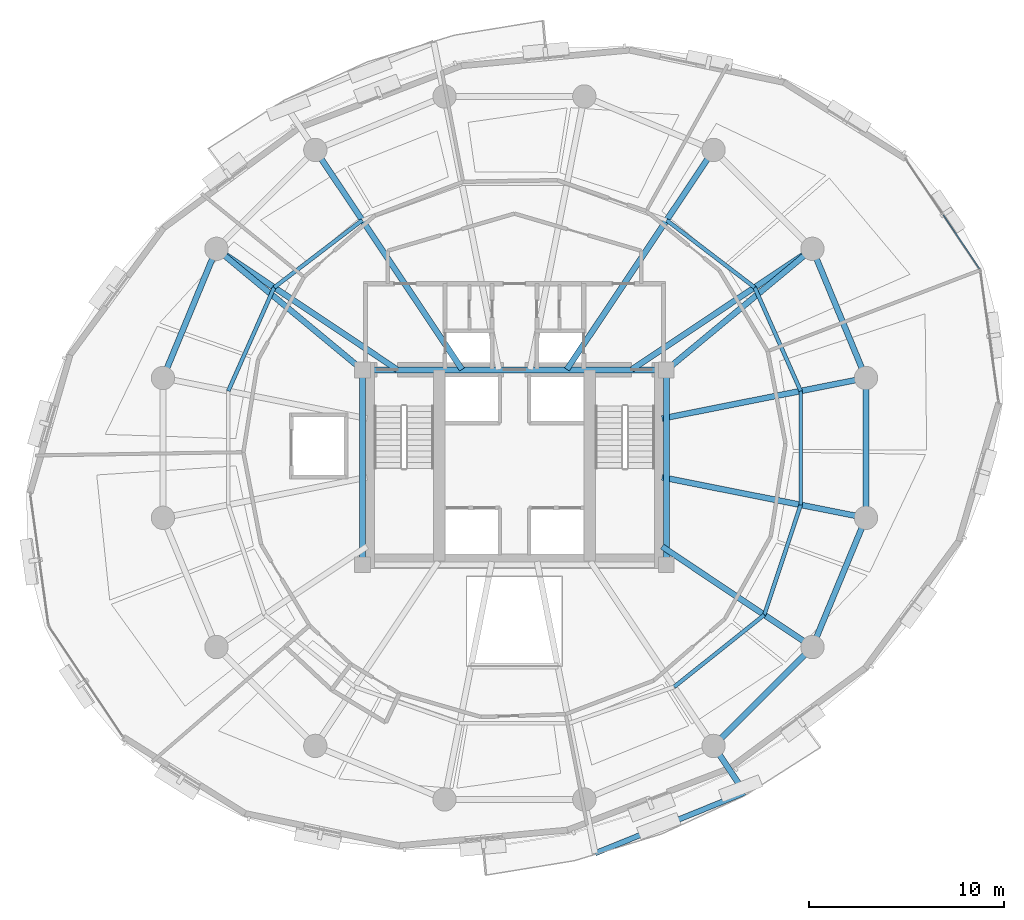
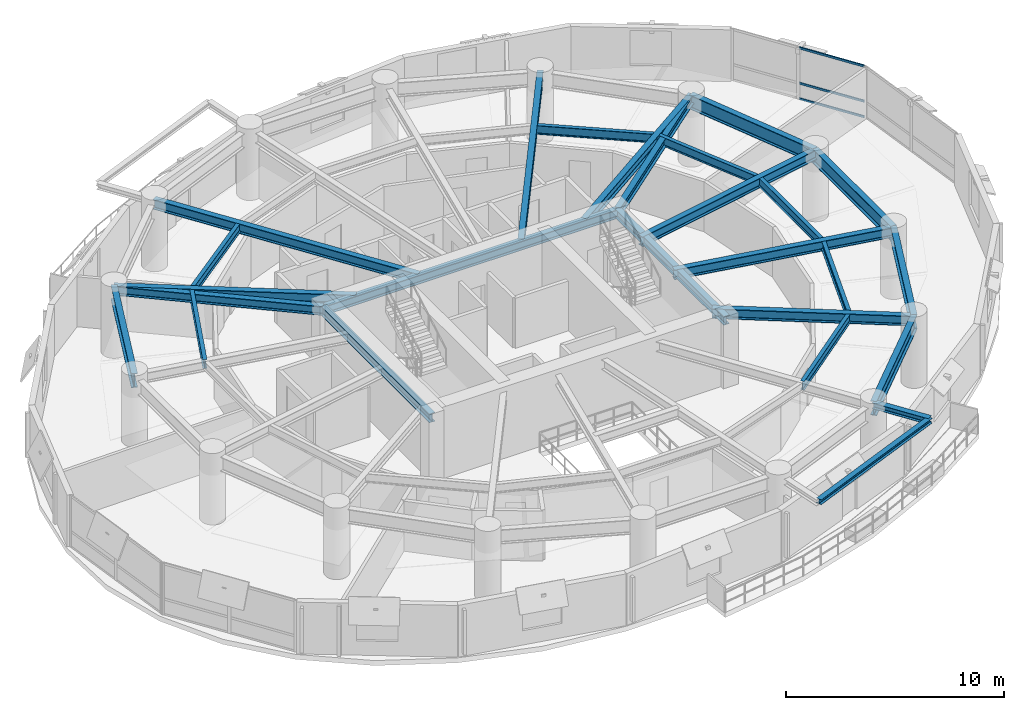
# One storey, part 5 of 15: 26 beams, 3 members, 1 element without a shape of its own.
"""IFC4 building model written with IfcOpenShell, lengths in metres."""

from ifc_helpers import new_model, si_unit, direction, frame, origin, origin_2d, place, context, subcontext, project, spatial, hollow_rectangle, i_section, extrude, material, layer, layer_set, material_profile, profile_set, type_object, element, aggregate, save


model = new_model("IFC4")

# Units and contexts
model_context = context("Model", 3, precision=1e-05, world=origin(), true_north=direction((0.0, 1.0)))
body_context = subcontext(model_context, "Body", "Model", "MODEL_VIEW")
ifc_project = project(units=[si_unit("LENGTHUNIT", "METRE"), si_unit("AREAUNIT", "SQUARE_METRE"), si_unit("VOLUMEUNIT", "CUBIC_METRE"), si_unit("PLANEANGLEUNIT", "RADIAN"), si_unit("MASSUNIT", "GRAM", prefix="KILO"), si_unit("THERMODYNAMICTEMPERATUREUNIT", "KELVIN"), si_unit("POWERUNIT", "WATT")], contexts=[model_context])

# Site, building, storey
site_placement = place(None, origin())
site = spatial("IfcSite", under=ifc_project, at=site_placement, CompositionType="ELEMENT")
building_placement = place(site_placement, origin())
building = spatial("IfcBuilding", under=site, at=building_placement, Name="Ocrelia Relay Tower", CompositionType="ELEMENT")
storey_placement = place(building_placement, frame((0.0, 0.0, 121.800048828125)))
storey = spatial("IfcBuildingStorey", under=building, at=storey_placement, Name="L28", CompositionType="ELEMENT", Elevation=121.800048828125)

# Beams
ifc_material_1 = material(Name="Steel S355", Category="steel")
ifc_material_profile_1 = material_profile(ifc_material_1, i_section(OverallWidth=0.280029296875, OverallDepth=0.27001953125, WebThickness=0.008056640625, FlangeThickness=0.012939453125, FilletRadius=0.02392578125, at=origin_2d()), Name="HEA 280")
ifc_profile_set_1 = profile_set([ifc_material_profile_1], Name="Steel S355")
beam_type_1 = type_object("IfcBeamType", Name="BM-HEA280", PredefinedType="BEAM", material=ifc_profile_set_1)
beam_1_placement = place(storey_placement, frame((38.140625, 5.18408203125, 3.5849609375), z_axis=(0.926704083886, 0.375791885102, 0.0), x_axis=(-0.375791885102, 0.926704083886, 0.0)))
element("IfcBeam", 1, at=beam_1_placement, inside=storey, type_object=beam_type_1, Name="L29 Balcony Edge Trimmer Beam B2", PredefinedType="BEAM", context=body_context, shape_type="SweptSolid", body=[
    extrude(i_section(OverallWidth=0.280029296875, OverallDepth=0.27001953125, WebThickness=0.008056640625, FlangeThickness=0.012939453125, FilletRadius=0.02392578125, at=origin_2d()), origin(), (0.0, 0.0, 1.0), 8.293701171875),
])
ifc_material_profile_2 = material_profile(ifc_material_1, i_section(OverallWidth=0.300048828125, OverallDepth=0.330078125, WebThickness=0.009521484375, FlangeThickness=0.0166015625, FilletRadius=0.027099609375, at=origin_2d()), Name="HEA 340")
ifc_profile_set_2 = profile_set([ifc_material_profile_2], Name="Steel S355")
beam_type_2 = type_object("IfcBeamType", Name="BM-HEA340", PredefinedType="BEAM", material=ifc_profile_set_2)
beam_2_placement = place(storey_placement, frame((44.222412109375, 10.700927734375, 3.554931640625), z_axis=(0.555636639828, -0.831425236856, 0.0), x_axis=(0.831425236856, 0.555636639828, 0.0)))
element("IfcBeam", 2, at=beam_2_placement, inside=storey, type_object=beam_type_2, Name="L29 Balcony Cantilever Beam B2-2", PredefinedType="BEAM", context=body_context, shape_type="SweptSolid", body=[
    extrude(i_section(OverallWidth=0.300048828125, OverallDepth=0.330078125, WebThickness=0.009521484375, FlangeThickness=0.0166015625, FilletRadius=0.027099609375, at=origin_2d()), origin(), (0.0, 0.0, 1.0), 2.88671875),
])
ifc_material_profile_3 = material_profile(ifc_material_1, i_section(OverallWidth=0.300048828125, OverallDepth=0.5, WebThickness=0.014404296875, FlangeThickness=0.028076171875, FilletRadius=0.027099609375, at=origin_2d()), Name="HEB 500")
ifc_profile_set_3 = profile_set([ifc_material_profile_3], Name="Steel S355")
beam_type_3 = type_object("IfcBeamType", Name="BM-HEB500", PredefinedType="BEAM", material=ifc_profile_set_3)
beam_3_placement = place(storey_placement, frame((26.199951171875, 30.0, 3.469970703125), z_axis=(1.0, 0.0, 0.0), x_axis=(0.0, 1.0, 0.0)))
element("IfcBeam", 3, at=beam_3_placement, inside=storey, type_object=beam_type_3, Name="L28 Core Pilaster Tie Beam N", PredefinedType="BEAM", context=body_context, shape_type="SweptSolid", body=[
    extrude(i_section(OverallWidth=0.300048828125, OverallDepth=0.5, WebThickness=0.014404296875, FlangeThickness=0.028076171875, FilletRadius=0.027099609375, at=origin_2d()), origin(), (0.0, 0.0, 1.0), 15.60009765625),
])
for number, where, z_axis, x_axis, name in (
    (4, (26.199951171875, 20.0, 3.469970703125), (0.0, 1.0, 0.0), (-1.0, 0.0, 0.0), "L28 Core Pilaster Tie Beam W"),
    (5, (41.800048828125, 20.0, 3.469970703125), (0.0, 1.0, 0.0), (-1.0, 0.0, 0.0), "L28 Core Pilaster Tie Beam E"),
):
    element("IfcBeam", number, at=place(storey_placement, frame(where, z_axis=z_axis, x_axis=x_axis)), inside=storey, type_object=beam_type_3, Name=name, PredefinedType="BEAM", context=body_context, shape_type="SweptSolid", body=[
        extrude(i_section(OverallWidth=0.300048828125, OverallDepth=0.5, WebThickness=0.014404296875, FlangeThickness=0.028076171875, FilletRadius=0.027099609375, at=origin_2d()), origin(), (0.0, 0.0, 1.0), 10.0),
    ])
for number, where, z_axis, x_axis, name in (
    (6, (49.299072265625, 36.222412109375, 3.469970703125), (-0.769570862751, -0.638561420072, 0.0), (0.638561420072, -0.769570862751, 0.0), "L28 Core Pilaster Frame Tie Beam PT02"),
    (7, (18.700927734375, 36.222412109375, 3.469970703125), (0.769570862751, -0.638561420072, 0.0), (0.638561420072, 0.769570862751, 0.0), "L28 Core Pilaster Frame Tie Beam PT07"),
):
    element("IfcBeam", number, at=place(storey_placement, frame(where, z_axis=z_axis, x_axis=x_axis)), inside=storey, type_object=beam_type_3, Name=name, PredefinedType="BEAM", context=body_context, shape_type="SweptSolid", body=[
        extrude(i_section(OverallWidth=0.300048828125, OverallDepth=0.5, WebThickness=0.014404296875, FlangeThickness=0.028076171875, FilletRadius=0.027099609375, at=origin_2d()), origin(), (0.0, 0.0, 1.0), 9.744384765625),
    ])
ifc_material_profile_4 = material_profile(ifc_material_1, i_section(OverallWidth=0.300048828125, OverallDepth=0.550048828125, WebThickness=0.014892578125, FlangeThickness=0.029052734375, FilletRadius=0.027099609375, at=origin_2d()), Name="HEB 550")
ifc_profile_set_4 = profile_set([ifc_material_profile_4], Name="Steel S355")
beam_type_4 = type_object("IfcBeamType", Name="BM-HEB550", PredefinedType="BEAM", material=ifc_profile_set_4)
beam_4_placement = place(storey_placement, frame((52.04638671875, 29.589599609375, 3.445068359375), z_axis=(-0.980786914024, -0.195082109071, 0.0), x_axis=(0.195082109071, -0.980786914024, 0.0)))
element("IfcBeam", 8, at=beam_4_placement, inside=storey, type_object=beam_type_4, Name="L28 Radial Floor Girder R01", PredefinedType="BEAM", context=body_context, shape_type="SweptSolid", body=[
    extrude(i_section(OverallWidth=0.300048828125, OverallDepth=0.550048828125, WebThickness=0.014892578125, FlangeThickness=0.029052734375, FilletRadius=0.027099609375, at=origin_2d()), origin(), (0.0, 0.0, 1.0), 10.67138671875),
])
beam_5_placement = place(storey_placement, frame((49.299072265625, 36.222412109375, 3.445068359375), z_axis=(-0.83147699108, -0.555559189741, 0.0), x_axis=(0.555559189741, -0.83147699108, 0.0)))
element("IfcBeam", 9, at=beam_5_placement, inside=storey, type_object=beam_type_4, Name="L28 Radial Floor Girder R02", PredefinedType="BEAM", context=body_context, shape_type="SweptSolid", body=[
    extrude(i_section(OverallWidth=0.300048828125, OverallDepth=0.550048828125, WebThickness=0.014892578125, FlangeThickness=0.029052734375, FilletRadius=0.027099609375, at=origin_2d()), origin(), (0.0, 0.0, 1.0), 11.146240234375),
])
for number, where, z_axis, x_axis, name in (
    (10, (44.222412109375, 41.299072265625, 3.445068359375), (-0.555560399988, -0.83147618244, 0.0), (0.83147618244, -0.555560399988, 0.0), "L28 Radial Floor Girder R03"),
    (11, (23.777587890625, 41.299072265625, 3.445068359375), (0.555560399988, -0.83147618244, 0.0), (0.83147618244, 0.555560399988, 0.0), "L28 Radial Floor Girder R06"),
):
    element("IfcBeam", number, at=place(storey_placement, frame(where, z_axis=z_axis, x_axis=x_axis)), inside=storey, type_object=beam_type_4, Name=name, PredefinedType="BEAM", context=body_context, shape_type="SweptSolid", body=[
        extrude(i_section(OverallWidth=0.300048828125, OverallDepth=0.550048828125, WebThickness=0.014892578125, FlangeThickness=0.029052734375, FilletRadius=0.027099609375, at=origin_2d()), origin(), (0.0, 0.0, 1.0), 13.552978515625),
    ])
beam_6_placement = place(storey_placement, frame((18.700927734375, 36.222412109375, 3.445068359375), z_axis=(0.83147699108, -0.555559189741, 0.0), x_axis=(0.555559189741, 0.83147699108, 0.0)))
element("IfcBeam", 12, at=beam_6_placement, inside=storey, type_object=beam_type_4, Name="L28 Radial Floor Girder R07", PredefinedType="BEAM", context=body_context, shape_type="SweptSolid", body=[
    extrude(i_section(OverallWidth=0.300048828125, OverallDepth=0.550048828125, WebThickness=0.014892578125, FlangeThickness=0.029052734375, FilletRadius=0.027099609375, at=origin_2d()), origin(), (0.0, 0.0, 1.0), 11.146240234375),
])
beam_7_placement = place(storey_placement, frame((49.299072265625, 15.777587890625, 3.445068359375), z_axis=(-0.8314672312, 0.555573796575, 0.0), x_axis=(-0.555573796575, -0.8314672312, 0.0)))
element("IfcBeam", 13, at=beam_7_placement, inside=storey, type_object=beam_type_4, Name="L28 Radial Floor Girder R15", PredefinedType="BEAM", context=body_context, shape_type="SweptSolid", body=[
    extrude(i_section(OverallWidth=0.300048828125, OverallDepth=0.550048828125, WebThickness=0.014892578125, FlangeThickness=0.029052734375, FilletRadius=0.027099609375, at=origin_2d()), origin(), (0.0, 0.0, 1.0), 9.28369140625),
])
beam_8_placement = place(storey_placement, frame((52.04638671875, 22.410400390625, 3.445068359375), z_axis=(-0.980786914024, 0.195082109071, 0.0), x_axis=(-0.195082109071, -0.980786914024, 0.0)))
element("IfcBeam", 14, at=beam_8_placement, inside=storey, type_object=beam_type_4, Name="L28 Radial Floor Girder R16", PredefinedType="BEAM", context=body_context, shape_type="SweptSolid", body=[
    extrude(i_section(OverallWidth=0.300048828125, OverallDepth=0.550048828125, WebThickness=0.014892578125, FlangeThickness=0.029052734375, FilletRadius=0.027099609375, at=origin_2d()), origin(), (0.0, 0.0, 1.0), 10.67138671875),
])
ifc_material_profile_5 = material_profile(ifc_material_1, i_section(OverallWidth=0.300048828125, OverallDepth=0.800048828125, WebThickness=0.017578125, FlangeThickness=0.032958984375, FilletRadius=0.030029296875, at=origin_2d()), Name="HEB 800")
ifc_profile_set_5 = profile_set([ifc_material_profile_5], Name="Steel S355")
beam_type_5 = type_object("IfcBeamType", Name="BM-HEB800", PredefinedType="BEAM", material=ifc_profile_set_5)
for number, where, z_axis, x_axis, name in (
    (15, (52.04638671875, 29.589599609375, 3.320068359375), (-0.382673155247, 0.923883789366, 0.0), (-0.923883789366, -0.382673155247, 0.0), "L28 Perimeter Spandrel Beam S01"),
    (16, (18.700927734375, 36.222412109375, 3.320068359375), (-0.382673155247, -0.923883789366, 0.0), (0.923883789366, -0.382673155247, 0.0), "L28 Perimeter Spandrel Beam S07"),
):
    element("IfcBeam", number, at=place(storey_placement, frame(where, z_axis=z_axis, x_axis=x_axis)), inside=storey, type_object=beam_type_5, Name=name, PredefinedType="BEAM", context=body_context, shape_type="SweptSolid", body=[
        extrude(i_section(OverallWidth=0.300048828125, OverallDepth=0.800048828125, WebThickness=0.017578125, FlangeThickness=0.032958984375, FilletRadius=0.030029296875, at=origin_2d()), origin(), (0.0, 0.0, 1.0), 7.17919921875),
    ])
beam_9_placement = place(storey_placement, frame((44.222412109375, 10.700927734375, 3.320068359375), z_axis=(0.707106781187, 0.707106781187, 0.0), x_axis=(-0.707106781187, 0.707106781187, 0.0)))
element("IfcBeam", 17, at=beam_9_placement, inside=storey, type_object=beam_type_5, Name="L28 Perimeter Spandrel Beam S14", PredefinedType="BEAM", context=body_context, shape_type="SweptSolid", body=[
    extrude(i_section(OverallWidth=0.300048828125, OverallDepth=0.800048828125, WebThickness=0.017578125, FlangeThickness=0.032958984375, FilletRadius=0.030029296875, at=origin_2d()), origin(), (0.0, 0.0, 1.0), 7.179443359375),
])
for number, where, z_axis, x_axis, name in (
    (18, (49.299072265625, 15.777587890625, 3.320068359375), (0.382673155247, 0.923883789366, 0.0), (-0.923883789366, 0.382673155247, 0.0), "L28 Perimeter Spandrel Beam S15"),
    (19, (52.04638671875, 22.410400390625, 3.320068359375), (0.0, 1.0, 0.0), (-1.0, 0.0, 0.0), "L28 Perimeter Spandrel Beam S16"),
):
    element("IfcBeam", number, at=place(storey_placement, frame(where, z_axis=z_axis, x_axis=x_axis)), inside=storey, type_object=beam_type_5, Name=name, PredefinedType="BEAM", context=body_context, shape_type="SweptSolid", body=[
        extrude(i_section(OverallWidth=0.300048828125, OverallDepth=0.800048828125, WebThickness=0.017578125, FlangeThickness=0.032958984375, FilletRadius=0.030029296875, at=origin_2d()), origin(), (0.0, 0.0, 1.0), 7.17919921875),
    ])
ifc_material_profile_6 = material_profile(ifc_material_1, i_section(OverallWidth=0.199951171875, OverallDepth=0.5, WebThickness=0.01025390625, FlangeThickness=0.01611328125, FilletRadius=0.02099609375, at=origin_2d()), Name="IPE 500")
ifc_profile_set_6 = profile_set([ifc_material_profile_6], Name="Steel S355")
beam_type_6 = type_object("IfcBeamType", Name="BM-IPE500", PredefinedType="JOIST", material=ifc_profile_set_6)
beam_10_placement = place(storey_placement, frame((48.697265625, 28.923583984375, 3.469970703125), z_axis=(-0.406243565397, 0.913764830563, 0.0), x_axis=(-0.913764830563, -0.406243565397, 0.0)))
element("IfcBeam", 20, at=beam_10_placement, inside=storey, type_object=beam_type_6, Name="L28 Secondary Floor Joist J01", PredefinedType="JOIST", context=body_context, shape_type="SweptSolid", body=[
    extrude(i_section(OverallWidth=0.199951171875, OverallDepth=0.5, WebThickness=0.01025390625, FlangeThickness=0.01611328125, FilletRadius=0.02099609375, at=origin_2d()), origin(), (0.0, 0.0, 1.0), 5.819091796875),
])
for number, where, z_axis, x_axis, name in (
    (21, (46.333251953125, 34.240966796875, 3.469970703125), (-0.794762167004, 0.60692099807, 0.0), (-0.60692099807, -0.794762167004, 0.0), "L28 Secondary Floor Joist J02"),
    (22, (26.18701171875, 37.69287109375, 3.469970703125), (-0.794762167004, -0.60692099807, 0.0), (0.60692099807, -0.794762167004, 0.0), "L28 Secondary Floor Joist J06"),
):
    element("IfcBeam", number, at=place(storey_placement, frame(where, z_axis=z_axis, x_axis=x_axis)), inside=storey, type_object=beam_type_6, Name=name, PredefinedType="JOIST", context=body_context, shape_type="SweptSolid", body=[
        extrude(i_section(OverallWidth=0.199951171875, OverallDepth=0.5, WebThickness=0.01025390625, FlangeThickness=0.01611328125, FilletRadius=0.02099609375, at=origin_2d()), origin(), (0.0, 0.0, 1.0), 5.6875),
    ])
beam_11_placement = place(storey_placement, frame((21.666748046875, 34.240966796875, 3.469970703125), z_axis=(-0.405741333342, -0.913987948727, 0.0), x_axis=(0.913987948727, -0.405741333342, 0.0)))
element("IfcBeam", 23, at=beam_11_placement, inside=storey, type_object=beam_type_6, Name="L28 Secondary Floor Joist J07", PredefinedType="JOIST", context=body_context, shape_type="SweptSolid", body=[
    extrude(i_section(OverallWidth=0.199951171875, OverallDepth=0.5, WebThickness=0.01025390625, FlangeThickness=0.01611328125, FilletRadius=0.02099609375, at=origin_2d()), origin(), (0.0, 0.0, 1.0), 5.818603515625),
])
beam_12_placement = place(storey_placement, frame((42.197998046875, 13.731201171875, 3.469970703125), z_axis=(0.781519577804, 0.623880717372, 0.0), x_axis=(-0.623880717372, 0.781519577804, 0.0)))
element("IfcBeam", 24, at=beam_12_placement, inside=storey, type_object=beam_type_6, Name="L28 Secondary Floor Joist J14", PredefinedType="JOIST", context=body_context, shape_type="SweptSolid", body=[
    extrude(i_section(OverallWidth=0.199951171875, OverallDepth=0.5, WebThickness=0.01025390625, FlangeThickness=0.01611328125, FilletRadius=0.02099609375, at=origin_2d()), origin(), (0.0, 0.0, 1.0), 5.925537109375),
])
beam_13_placement = place(storey_placement, frame((46.828857421875, 17.427978515625, 3.469970703125), z_axis=(0.314047924314, 0.949407131443, 0.0), x_axis=(-0.949407131443, 0.314047924314, 0.0)))
element("IfcBeam", 25, at=beam_13_placement, inside=storey, type_object=beam_type_6, Name="L28 Secondary Floor Joist J15", PredefinedType="JOIST", context=body_context, shape_type="SweptSolid", body=[
    extrude(i_section(OverallWidth=0.199951171875, OverallDepth=0.5, WebThickness=0.01025390625, FlangeThickness=0.01611328125, FilletRadius=0.02099609375, at=origin_2d()), origin(), (0.0, 0.0, 1.0), 5.949462890625),
])
beam_14_placement = place(storey_placement, frame((48.697265625, 23.076416015625, 3.469970703125), z_axis=(0.0, 1.0, 0.0), x_axis=(-1.0, 0.0, 0.0)))
element("IfcBeam", 26, at=beam_14_placement, inside=storey, type_object=beam_type_6, Name="L28 Secondary Floor Joist J16", PredefinedType="JOIST", context=body_context, shape_type="SweptSolid", body=[
    extrude(i_section(OverallWidth=0.199951171875, OverallDepth=0.5, WebThickness=0.01025390625, FlangeThickness=0.01611328125, FilletRadius=0.02099609375, at=origin_2d()), origin(), (0.0, 0.0, 1.0), 5.84716796875),
])

# Curtain wall, members
ifc_material_2 = material(Name="Aluminium and solar-control low-E glass", Category="aluminium")
ifc_layer = layer(ifc_material_2, 0.179931640625, Name="Aluminium and solar-control low-E glass")
ifc_layer_set = layer_set([ifc_layer], Name="Aluminium and solar-control low-E glass")
curtain_wall_type = type_object("IfcCurtainWallType", Name="CW-SYS-Z2-SWIT", PredefinedType="NOTDEFINED", material=ifc_layer_set)
curtain_wall_placement = place(storey_placement, origin())
curtain_wall = element("IfcCurtainWall", 27, at=curtain_wall_placement, inside=storey, type_object=curtain_wall_type, Name="L28 Elliptical Tower Curtain Wall Bay 01", PredefinedType="NOTDEFINED")
ifc_material_3 = material(Name="Anodised bronze aluminium", Category="aluminium")
ifc_material_profile_7 = material_profile(ifc_material_3, hollow_rectangle(XDim=0.06005859375, YDim=0.1201171875, WallThickness=0.0048828125, at=origin_2d()), Name="CW-TRN-120x60")
ifc_profile_set_7 = profile_set([ifc_material_profile_7], Name="Anodised bronze aluminium")
member_type = type_object("IfcMemberType", Name="CW-SYS-Z2-SWIT-TRN", PredefinedType="USERDEFINED", material=ifc_profile_set_7)
member_1_placement = place(storey_placement, frame((57.876708984375, 35.190673828125, 0.030029296875), z_axis=(-0.557333250636, 0.830288894142, 0.0), x_axis=(-0.830288894142, -0.557333250636, 0.0)))
member_1 = element("IfcMember", 28, at=member_1_placement, type_object=member_type, Name="CW-Z2 transom 1.1", ObjectType="TRANSOM", PredefinedType="USERDEFINED", context=body_context, shape_type="SweptSolid", body=[
    extrude(hollow_rectangle(XDim=0.06005859375, YDim=0.1201171875, WallThickness=0.0048828125, at=origin_2d()), origin(), (0.0, 0.0, 1.0), 3.33447265625),
])
member_2_placement = place(storey_placement, frame((57.876708984375, 35.190673828125, 0.89990234375), z_axis=(-0.557333250636, 0.830288894142, 0.0), x_axis=(-0.830288894142, -0.557333250636, 0.0)))
member_2 = element("IfcMember", 29, at=member_2_placement, type_object=member_type, Name="CW-Z2 transom 1.2", ObjectType="TRANSOM", PredefinedType="USERDEFINED", context=body_context, shape_type="SweptSolid", body=[
    extrude(hollow_rectangle(XDim=0.06005859375, YDim=0.1201171875, WallThickness=0.0048828125, at=origin_2d()), origin(), (0.0, 0.0, 1.0), 3.33447265625),
])
member_3_placement = place(storey_placement, frame((57.876708984375, 35.190673828125, 2.869873046875), z_axis=(-0.557333250636, 0.830288894142, 0.0), x_axis=(-0.830288894142, -0.557333250636, 0.0)))
member_3 = element("IfcMember", 30, at=member_3_placement, type_object=member_type, Name="CW-Z2 transom 1.3", ObjectType="TRANSOM", PredefinedType="USERDEFINED", context=body_context, shape_type="SweptSolid", body=[
    extrude(hollow_rectangle(XDim=0.06005859375, YDim=0.1201171875, WallThickness=0.0048828125, at=origin_2d()), origin(), (0.0, 0.0, 1.0), 3.33447265625),
])
aggregate(curtain_wall, [member_1, member_2, member_3])

save(model, "model.ifc")
